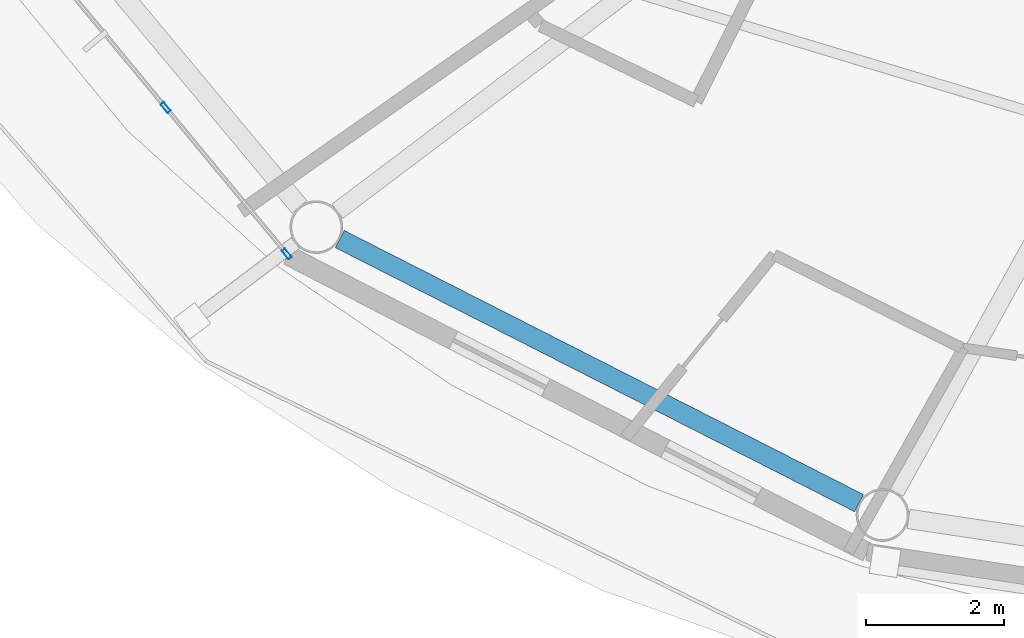
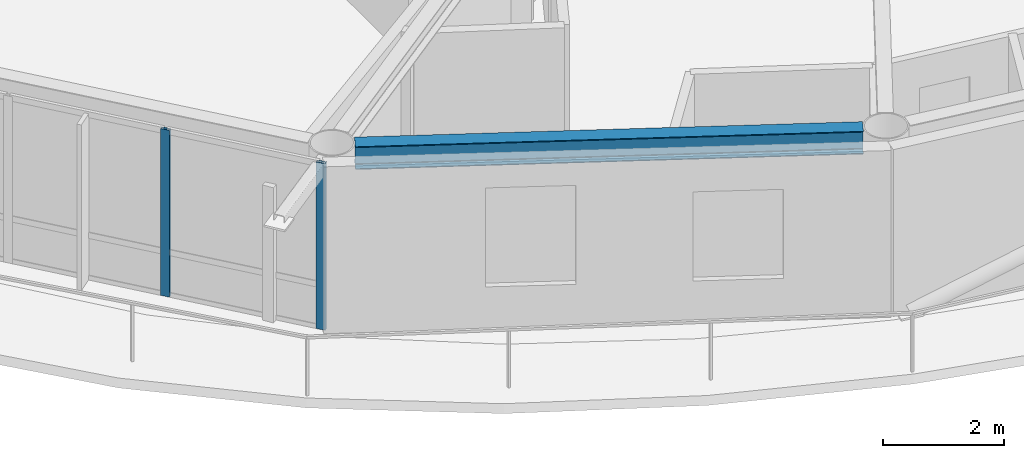
# One storey, part 2 of 23: 2 members, 1 beam, 1 element without a shape of its own.
"""IFC4 building model written with IfcOpenShell, lengths in metres."""

from ifc_helpers import new_model, si_unit, direction, frame, origin, origin_2d, place, context, subcontext, project, spatial, hollow_rectangle, i_section, extrude, material, layer, layer_set, material_profile, profile_set, type_object, element, aggregate, save


model = new_model("IFC4")

# Units and contexts
model_context = context("Model", 3, precision=1e-05, world=origin(), true_north=direction((0.0, 1.0)))
body_context = subcontext(model_context, "Body", "Model", "MODEL_VIEW")
ifc_project = project(units=[si_unit("LENGTHUNIT", "METRE"), si_unit("AREAUNIT", "SQUARE_METRE"), si_unit("VOLUMEUNIT", "CUBIC_METRE"), si_unit("PLANEANGLEUNIT", "RADIAN"), si_unit("MASSUNIT", "GRAM", prefix="KILO")], contexts=[model_context])

# Site, building, storey
site_placement = place(None, origin())
site = spatial("IfcSite", under=ifc_project, at=site_placement, CompositionType="ELEMENT")
building_placement = place(site_placement, origin())
building = spatial("IfcBuilding", under=site, at=building_placement, Name="Sarneth Arch Tower", CompositionType="ELEMENT")
storey_placement = place(building_placement, frame((0.0, 0.0, 280.199951171875)))
storey = spatial("IfcBuildingStorey", under=building, at=storey_placement, Name="L72", CompositionType="ELEMENT", Elevation=280.199951171875)

# Beam
ifc_material_1 = material(Name="Steel S355", Category="steel")
ifc_material_profile_1 = material_profile(ifc_material_1, i_section(OverallWidth=0.280029296875, OverallDepth=0.462890625, WebThickness=0.0107421875, FlangeThickness=0.017333984375, FilletRadius=0.01806640625, at=origin_2d()), Name="W460x113")
ifc_profile_set_1 = profile_set([ifc_material_profile_1], Name="Steel S355")
beam_type = type_object("IfcBeamType", Name="BM-RAD-460A", PredefinedType="BEAM", material=ifc_profile_set_1)
beam_placement = place(storey_placement, frame((30.364501953125, 28.250732421875, 3.138427734375), z_axis=(0.891373613492, -0.453269325204, 0.0), x_axis=(0.453269325204, 0.891373613492, 0.0)))
element("IfcBeam", 1, at=beam_placement, inside=storey, type_object=beam_type, Name="L72 Perimeter spandrel beam 11", PredefinedType="BEAM", context=body_context, shape_type="SweptSolid", body=[
    extrude(i_section(OverallWidth=0.280029296875, OverallDepth=0.462890625, WebThickness=0.0107421875, FlangeThickness=0.017333984375, FilletRadius=0.01806640625, at=origin_2d()), origin(), (0.0, 0.0, 1.0), 8.419677734375),
])

# Curtain wall, members
ifc_material_2 = material(Name="Anodised aluminium Type AA25 and solar-control low-e laminated IGU", Category="aluminium")
ifc_layer = layer(ifc_material_2, 0.179931640625)
ifc_layer_set = layer_set([ifc_layer], Name="Anodised aluminium Type AA25 and solar-control low-e laminated IGU")
curtain_wall_type = type_object("IfcCurtainWallType", Name="CW-RES-HIGH", PredefinedType="NOTDEFINED", material=ifc_layer_set)
curtain_wall_placement = place(storey_placement, origin())
curtain_wall = element("IfcCurtainWall", 2, at=curtain_wall_placement, inside=storey, type_object=curtain_wall_type, Name="L72 Unitised curtain wall facet 10", PredefinedType="NOTDEFINED")
ifc_material_3 = material(Name="Anodised Aluminium 6063-T6", Category="aluminium")
ifc_material_profile_2 = material_profile(ifc_material_3, hollow_rectangle(XDim=0.06005859375, YDim=0.159912109375, WallThickness=0.00390625, at=origin_2d()), Name="AL-MULL-160x60x4")
ifc_profile_set_2 = profile_set([ifc_material_profile_2], Name="Anodised Aluminium 6063-T6")
member_type = type_object("IfcMemberType", Name="CW-MULLION", PredefinedType="MULLION", material=ifc_profile_set_2)
member_1_placement = place(storey_placement, frame((27.84716796875, 30.15234375, 0.0), z_axis=(0.0, 0.0, 1.0), x_axis=(0.770359245933, 0.637610094184, 0.0)))
member_1 = element("IfcMember", 3, at=member_1_placement, type_object=member_type, Name="CW-SYS-6 mullion 3", PredefinedType="MULLION", context=body_context, shape_type="SweptSolid", body=[
    extrude(hollow_rectangle(XDim=0.06005859375, YDim=0.159912109375, WallThickness=0.00390625, at=origin_2d()), origin(), (0.0, 0.0, 1.0), 3.3701171875),
])
member_2_placement = place(storey_placement, frame((29.598388671875, 28.03662109375, 0.0), z_axis=(0.0, 0.0, 1.0), x_axis=(0.770359245933, 0.637610094184, 0.0)))
member_2 = element("IfcMember", 4, at=member_2_placement, type_object=member_type, Name="CW-SYS-6 mullion 4", PredefinedType="MULLION", context=body_context, shape_type="SweptSolid", body=[
    extrude(hollow_rectangle(XDim=0.06005859375, YDim=0.159912109375, WallThickness=0.00390625, at=origin_2d()), origin(), (0.0, 0.0, 1.0), 3.3701171875),
])
aggregate(curtain_wall, [member_1, member_2])

save(model, "model.ifc")
